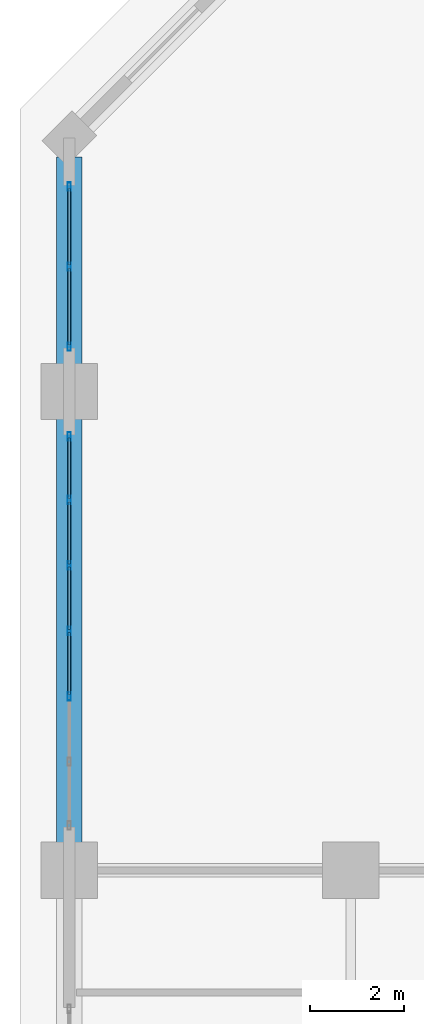
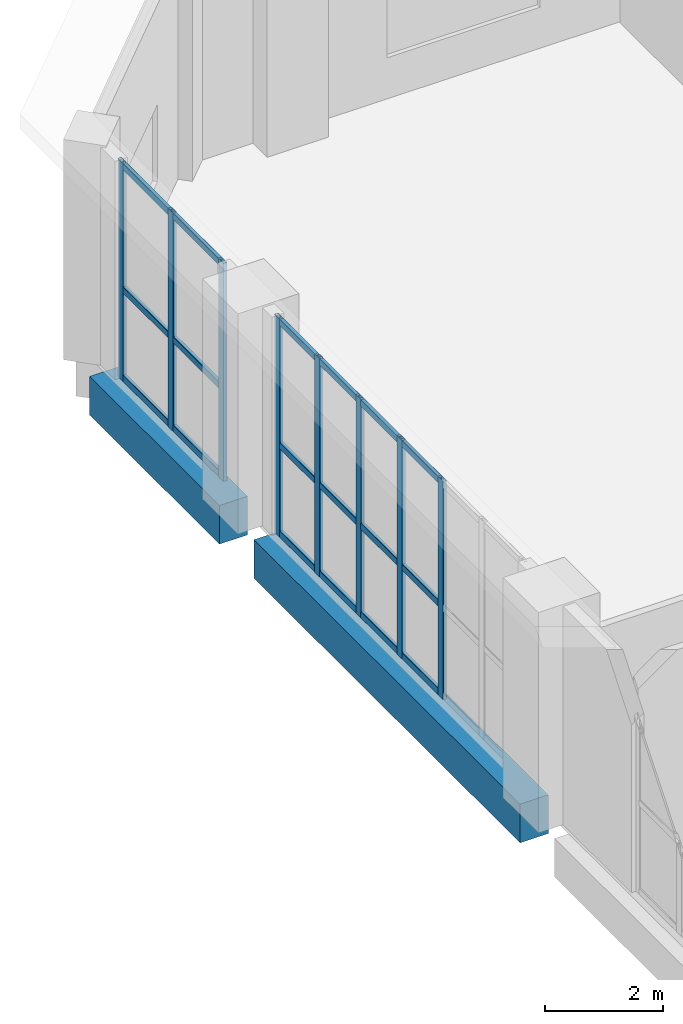
# One storey, part 16 of 37: 26 members, 2 beams, 2 elements without a shape of their own.
"""IFC4 building model written with IfcOpenShell, lengths in metres."""

import ifcopenshell
import ifcopenshell.guid

model = None  # the IFC model being written
_history = None  # IfcOwnerHistory: only IFC2X3 demands one
_inside = {}  # id of a spatial element -> (the spatial element, [elements in it])
_under = {}  # id of a project, library or spatial element -> (it, [spatial elements below it])
_declared = {}  # id of a project -> (the project, [libraries it declares])
_typed = {}  # id of a type object -> (the type object, [elements of that type])
_made_of = {}  # id of a material, layer set ... -> (it, [elements and type objects made of it])


def new_model(schema):
    """Start an empty IFC model of exactly this schema.

    Asked for "IFC4X3", IfcOpenShell would pick the latest addendum, in which some entities
    have other attributes; the version numbers below select the first issue.
    IFC2X3 requires an IfcOwnerHistory on every rooted entity: one is made here for all.
    """
    global model, _history
    if schema == "IFC4X3":
        model = ifcopenshell.file(schema_version=(4, 3, 0, 0))
    else:
        model = ifcopenshell.file(schema=schema)
    _inside.clear()
    _under.clear()
    _declared.clear()
    _typed.clear()
    _made_of.clear()
    _history = None
    if model.schema == "IFC2X3":
        org = make("IfcOrganization", Name="unknown")
        user = make(
            "IfcPersonAndOrganization",
            ThePerson=make("IfcPerson", FamilyName="unknown"),
            TheOrganization=org,
        )
        app = make(
            "IfcApplication",
            ApplicationDeveloper=org,
            Version="unknown",
            ApplicationFullName="unknown",
            ApplicationIdentifier="unknown",
        )
        _history = make(
            "IfcOwnerHistory",
            OwningUser=user,
            OwningApplication=app,
            ChangeAction="ADDED",
            CreationDate=0,
        )
    return model


def make(cls, **values):
    """One entity of the class cls with the attributes given. An attribute that is None is left unset."""
    return model.create_entity(
        cls, **{name: value for name, value in values.items() if value is not None}
    )


def rooted(cls, **values):
    """An entity with a GlobalId (a new one), such as an element, a storey or a relation."""
    return make(cls, GlobalId=ifcopenshell.guid.new(), OwnerHistory=_history, **values)


def si_unit(unit_type, name, prefix=None):
    """IfcSIUnit, for example si_unit("LENGTHUNIT", "METRE", prefix="MILLI")."""
    return make("IfcSIUnit", UnitType=unit_type, Prefix=prefix, Name=name)


def assignment(units):
    """IfcUnitAssignment: the units of a project."""
    return None if units is None else make("IfcUnitAssignment", Units=units)


def point(xyz):
    """IfcCartesianPoint."""
    return None if xyz is None else make("IfcCartesianPoint", Coordinates=xyz)


def direction(xyz):
    """IfcDirection."""
    return None if xyz is None else make("IfcDirection", DirectionRatios=xyz)


def frame(location, z_axis=None, x_axis=None):
    """IfcAxis2Placement3D, a coordinate frame: its origin and axes. An axis left out is left unset."""
    return make(
        "IfcAxis2Placement3D",
        Location=point(location),
        Axis=direction(z_axis),
        RefDirection=direction(x_axis),
    )


def frame_2d(location, x_axis=None):
    """IfcAxis2Placement2D, a coordinate frame in the plane: its origin and x axis."""
    return make(
        "IfcAxis2Placement2D", Location=point(location), RefDirection=direction(x_axis)
    )


def origin():
    """The frame at (0, 0, 0) with its axes left unset."""
    return frame((0.0, 0.0, 0.0))


def origin_2d():
    """The frame at (0, 0) in the plane with its x axis left unset."""
    return frame_2d((0.0, 0.0))


def place(relative_to, where):
    """IfcLocalPlacement: puts the frame where relative to a parent placement (None: the world)."""
    return make(
        "IfcLocalPlacement", PlacementRelTo=relative_to, RelativePlacement=where
    )


def context(
    kind, dimensions, precision=None, world=None, true_north=None, identifier=None
):
    """IfcGeometricRepresentationContext, for example the 3D "Model" context."""
    return make(
        "IfcGeometricRepresentationContext",
        ContextIdentifier=identifier,
        ContextType=kind,
        CoordinateSpaceDimension=dimensions,
        Precision=precision,
        WorldCoordinateSystem=world,
        TrueNorth=true_north,
    )


def subcontext(parent, identifier, kind, view, scale=None):
    """IfcGeometricRepresentationSubContext, for example "Body" below "Model"."""
    return make(
        "IfcGeometricRepresentationSubContext",
        ContextIdentifier=identifier,
        ContextType=kind,
        ParentContext=parent,
        TargetScale=scale,
        TargetView=view,
    )


def project(units=None, contexts=None):
    """IfcProject with its units and contexts."""
    return rooted(
        "IfcProject",
        Name="project",
        RepresentationContexts=contexts,
        UnitsInContext=assignment(units),
    )


def spatial(cls, under=None, at=None, **own):
    """A site, building, storey or space (cls), placed at a placement, below another one or the project."""
    s = rooted(cls, ObjectPlacement=at, **own)
    if under is not None:
        _under.setdefault(under.id(), (under, []))[1].append(s)
    return s


def profile(cls, at=None, kind="AREA", **sizes):
    """A parametric profile (cls). Its sizes go by their IFC names, for example OverallWidth=200.0."""
    return make(cls, ProfileType=kind, Position=at, **sizes)


def rectangle(**sizes):
    """IfcRectangleProfileDef."""
    return profile("IfcRectangleProfileDef", **sizes)


def hollow_rectangle(**sizes):
    """IfcRectangleHollowProfileDef."""
    return profile("IfcRectangleHollowProfileDef", **sizes)


def extrude(swept, where, along, depth):
    """IfcExtrudedAreaSolid: the profile swept, set in the frame where, extruded along a direction by depth."""
    return make(
        "IfcExtrudedAreaSolid",
        SweptArea=swept,
        Position=where,
        ExtrudedDirection=direction(along),
        Depth=depth,
    )


def shape(context_of_items, identifier, shape_type, items):
    """IfcShapeRepresentation: the items that make up one representation, for example the "Body"."""
    return make(
        "IfcShapeRepresentation",
        ContextOfItems=context_of_items,
        RepresentationIdentifier=identifier,
        RepresentationType=shape_type,
        Items=items,
    )


def material(Name=None, Category=None):
    """IfcMaterial."""
    return make("IfcMaterial", Name=Name, Category=Category)


def layer(
    of_material, thickness, ventilated=None, Name=None, Category=None, Priority=None
):
    """IfcMaterialLayer: one layer of a wall or slab, of a material (None: an air gap)."""
    return make(
        "IfcMaterialLayer",
        Material=of_material,
        LayerThickness=thickness,
        IsVentilated=ventilated,
        Name=Name,
        Category=Category,
        Priority=Priority,
    )


def layer_set(layers, Name=None):
    """IfcMaterialLayerSet."""
    return make("IfcMaterialLayerSet", MaterialLayers=layers, LayerSetName=Name)


def material_profile(
    of_material, cross_section, Name=None, Category=None, Priority=None
):
    """IfcMaterialProfile: a cross section and its material."""
    return make(
        "IfcMaterialProfile",
        Name=Name,
        Material=of_material,
        Profile=cross_section,
        Priority=Priority,
        Category=Category,
    )


def profile_set(profiles, Name=None, composite=None):
    """IfcMaterialProfileSet."""
    return make(
        "IfcMaterialProfileSet",
        Name=Name,
        MaterialProfiles=profiles,
        CompositeProfile=composite,
    )


def made_of(thing, what):
    """Note that an element or type object is made of a material, layer set ...; save() writes the relation."""
    if what is not None:
        _made_of.setdefault(what.id(), (what, []))[1].append(thing)
    return thing


def type_object(cls, material=None, **own):
    """A type object (cls), such as IfcWallType, which elements share."""
    return made_of(rooted(cls, **own), material)


def element(
    cls,
    number,
    at=None,
    inside=None,
    cuts=None,
    type_object=None,
    material=None,
    context=None,
    identifier="Body",
    shape_type=None,
    held_by="IfcProductDefinitionShape",
    body=None,
    shapes=None,
    **own,
):
    """One element of the class cls, such as IfcWall. Its Tag is "e" and its number.

    at: its placement. inside: the storey or other place that contains it. cuts: it is an
    opening in that element (IfcRelVoidsElement). A single representation is given by context,
    identifier, shape_type and body (its items); several are given by shapes. held_by: the class
    of the entity that holds the representations. save() writes the other relations.
    """
    e = rooted(cls, Tag="e%d" % number, ObjectPlacement=at, **own)
    if body is not None:
        shapes = [shape(context, identifier, shape_type, body)]
    if shapes is not None:
        e.Representation = make(held_by, Representations=shapes)
    if inside is not None:
        _inside.setdefault(inside.id(), (inside, []))[1].append(e)
    if cuts is not None:
        rooted(
            "IfcRelVoidsElement", RelatingBuildingElement=cuts, RelatedOpeningElement=e
        )
    if type_object is not None:
        _typed.setdefault(type_object.id(), (type_object, []))[1].append(e)
    return made_of(e, material)


def aggregate(whole, parts):
    """IfcRelAggregates: a whole, such as a stair, and the parts it consists of."""
    return rooted("IfcRelAggregates", RelatingObject=whole, RelatedObjects=parts)


def save(model, path):
    """Write the relations noted so far, then the file.

    IfcRelAggregates (storeys below a building ...), IfcRelContainedInSpatialStructure (elements
    in a storey), IfcRelDefinesByType, IfcRelAssociatesMaterial and IfcRelDeclares: one each for
    every whole, place, type object, material and project.
    """
    for whole, parts in _under.values():
        aggregate(whole, parts)
    for where, things in _inside.values():
        rooted(
            "IfcRelContainedInSpatialStructure",
            RelatedElements=things,
            RelatingStructure=where,
        )
    for kind, things in _typed.values():
        rooted("IfcRelDefinesByType", RelatedObjects=things, RelatingType=kind)
    for what, things in _made_of.values():
        rooted("IfcRelAssociatesMaterial", RelatedObjects=things, RelatingMaterial=what)
    for by, libraries in _declared.values():
        rooted("IfcRelDeclares", RelatingContext=by, RelatedDefinitions=libraries)
    model.write(path)


model = new_model("IFC4")

# Units and contexts
model_context = context("Model", 3, precision=1e-05, world=origin(), true_north=direction((0.0, 1.0)))
body_context = subcontext(model_context, "Body", "Model", "MODEL_VIEW")
ifc_project = project(units=[si_unit("LENGTHUNIT", "METRE"), si_unit("AREAUNIT", "SQUARE_METRE"), si_unit("VOLUMEUNIT", "CUBIC_METRE"), si_unit("PLANEANGLEUNIT", "RADIAN"), si_unit("MASSUNIT", "GRAM", prefix="KILO")], contexts=[model_context])

# Site, building, storey
site_placement = place(None, origin())
site = spatial("IfcSite", under=ifc_project, at=site_placement, CompositionType="ELEMENT")
building_placement = place(site_placement, origin())
building = spatial("IfcBuilding", under=site, at=building_placement, Name="Kaelvorn Grand Hotel", CompositionType="ELEMENT")
storey_placement = place(building_placement, frame((0.0, 0.0, 224.35009765625)))
storey = spatial("IfcBuildingStorey", under=building, at=storey_placement, Name="L55", CompositionType="ELEMENT", Elevation=224.35009765625)

# Beams
ifc_material_1 = material(Name="Concrete C50/60", Category="concrete")
ifc_material_profile_1 = material_profile(ifc_material_1, rectangle(XDim=0.550048828125, YDim=0.800048828125, at=origin_2d()), Name="RC SPANDREL 550x800")
ifc_profile_set_1 = profile_set([ifc_material_profile_1], Name="Concrete C50/60")
beam_type = type_object("IfcBeamType", Name="BM-SP-550x800-C50", PredefinedType="SPANDREL", material=ifc_profile_set_1)
beam_1_placement = place(storey_placement, frame((3.0, 29.985107421875, -0.64013671875), z_axis=(0.0, 1.0, 0.0), x_axis=(-1.0, 0.0, 0.0)))
element("IfcBeam", 1, at=beam_1_placement, inside=storey, type_object=beam_type, Name="L55 West Perimeter Spandrel 03", PredefinedType="SPANDREL", context=body_context, shape_type="SweptSolid", body=[
    extrude(rectangle(XDim=0.550048828125, YDim=0.800048828125, at=origin_2d()), origin(), (0.0, 0.0, 1.0), 9.02978515625),
])
beam_2_placement = place(storey_placement, frame((3.0, 40.18505859375, -0.64013671875), z_axis=(0.0, 1.0, 0.0), x_axis=(-1.0, 0.0, 0.0)))
element("IfcBeam", 2, at=beam_2_placement, inside=storey, type_object=beam_type, Name="L55 West Perimeter Spandrel 04", PredefinedType="SPANDREL", context=body_context, shape_type="SweptSolid", body=[
    extrude(rectangle(XDim=0.550048828125, YDim=0.800048828125, at=origin_2d()), origin(), (0.0, 0.0, 1.0), 4.409912109375),
])

# Curtain wall, members
ifc_material_2 = material(Name="Anodised Aluminium", Category="aluminium")
ifc_layer = layer(ifc_material_2, 0.179931640625)
ifc_layer_set = layer_set([ifc_layer], Name="Anodised Aluminium")
curtain_wall_type = type_object("IfcCurtainWallType", Name="CW-SYS4", PredefinedType="NOTDEFINED", material=ifc_layer_set)
curtain_wall_1_placement = place(storey_placement, origin())
curtain_wall_1 = element("IfcCurtainWall", 3, at=curtain_wall_1_placement, inside=storey, type_object=curtain_wall_type, Name="L55 Unitised Curtain Wall CW4 (CW-L55-W-05)", PredefinedType="NOTDEFINED")
ifc_material_profile_2 = material_profile(ifc_material_2, hollow_rectangle(XDim=0.070068359375, YDim=0.179931640625, WallThickness=0.00390625, InnerFilletRadius=0.00390625, OuterFilletRadius=0.008056640625, at=origin_2d()), Name="ALU MULL 70x180")
ifc_profile_set_2 = profile_set([ifc_material_profile_2], Name="Anodised Aluminium")
member_type_1 = type_object("IfcMemberType", Name="CW-SYS4-MULL", PredefinedType="MULLION", material=ifc_profile_set_2)
member_1_placement = place(storey_placement, frame((3.0, 43.965087890625, 0.0), z_axis=(0.0, 0.0, 1.0), x_axis=(1.0, 0.0, 0.0)))
member_1 = element("IfcMember", 4, at=member_1_placement, type_object=member_type_1, Name="CW4 mullion 1", PredefinedType="MULLION", context=body_context, shape_type="SweptSolid", body=[
    extrude(hollow_rectangle(XDim=0.070068359375, YDim=0.179931640625, WallThickness=0.00390625, InnerFilletRadius=0.00390625, OuterFilletRadius=0.008056640625, at=origin_2d()), origin(), (0.0, 0.0, 1.0), 4.52001953125),
])
member_2_placement = place(storey_placement, frame((3.0, 42.260009765625, 0.0), z_axis=(0.0, 0.0, 1.0), x_axis=(1.0, 0.0, 0.0)))
member_2 = element("IfcMember", 5, at=member_2_placement, type_object=member_type_1, Name="CW4 mullion 2", PredefinedType="MULLION", context=body_context, shape_type="SweptSolid", body=[
    extrude(hollow_rectangle(XDim=0.070068359375, YDim=0.179931640625, WallThickness=0.00390625, InnerFilletRadius=0.00390625, OuterFilletRadius=0.008056640625, at=origin_2d()), origin(), (0.0, 0.0, 1.0), 4.52001953125),
])
member_3_placement = place(storey_placement, frame((3.0, 40.554931640625, 0.0), z_axis=(0.0, 0.0, 1.0), x_axis=(1.0, 0.0, 0.0)))
member_3 = element("IfcMember", 6, at=member_3_placement, type_object=member_type_1, Name="CW4 mullion 3", PredefinedType="MULLION", context=body_context, shape_type="SweptSolid", body=[
    extrude(hollow_rectangle(XDim=0.070068359375, YDim=0.179931640625, WallThickness=0.00390625, InnerFilletRadius=0.00390625, OuterFilletRadius=0.008056640625, at=origin_2d()), origin(), (0.0, 0.0, 1.0), 4.52001953125),
])

curtain_wall_2_placement = place(storey_placement, origin())
curtain_wall_2 = element("IfcCurtainWall", 7, at=curtain_wall_2_placement, inside=storey, type_object=curtain_wall_type, Name="L55 Unitised Curtain Wall CW4 (CW-L55-W-04)", PredefinedType="NOTDEFINED")
member_4_placement = place(storey_placement, frame((3.0, 38.64501953125, 0.0), z_axis=(0.0, 0.0, 1.0), x_axis=(1.0, 0.0, 0.0)))
member_4 = element("IfcMember", 8, at=member_4_placement, type_object=member_type_1, Name="CW4 mullion 1", PredefinedType="MULLION", context=body_context, shape_type="SweptSolid", body=[
    extrude(hollow_rectangle(XDim=0.070068359375, YDim=0.179931640625, WallThickness=0.00390625, InnerFilletRadius=0.00390625, OuterFilletRadius=0.008056640625, at=origin_2d()), origin(), (0.0, 0.0, 1.0), 4.52001953125),
])
member_5_placement = place(storey_placement, frame((3.0, 37.28662109375, 0.0), z_axis=(0.0, 0.0, 1.0), x_axis=(1.0, 0.0, 0.0)))
member_5 = element("IfcMember", 9, at=member_5_placement, type_object=member_type_1, Name="CW4 mullion 2", PredefinedType="MULLION", context=body_context, shape_type="SweptSolid", body=[
    extrude(hollow_rectangle(XDim=0.070068359375, YDim=0.179931640625, WallThickness=0.00390625, InnerFilletRadius=0.00390625, OuterFilletRadius=0.008056640625, at=origin_2d()), origin(), (0.0, 0.0, 1.0), 4.52001953125),
])
member_6_placement = place(storey_placement, frame((3.0, 35.893310546875, 0.0), z_axis=(0.0, 0.0, 1.0), x_axis=(1.0, 0.0, 0.0)))
member_6 = element("IfcMember", 10, at=member_6_placement, type_object=member_type_1, Name="CW4 mullion 3", PredefinedType="MULLION", context=body_context, shape_type="SweptSolid", body=[
    extrude(hollow_rectangle(XDim=0.070068359375, YDim=0.179931640625, WallThickness=0.00390625, InnerFilletRadius=0.00390625, OuterFilletRadius=0.008056640625, at=origin_2d()), origin(), (0.0, 0.0, 1.0), 4.52001953125),
])
member_7_placement = place(storey_placement, frame((3.0, 34.5, 0.0), z_axis=(0.0, 0.0, 1.0), x_axis=(1.0, 0.0, 0.0)))
member_7 = element("IfcMember", 11, at=member_7_placement, type_object=member_type_1, Name="CW4 mullion 4", PredefinedType="MULLION", context=body_context, shape_type="SweptSolid", body=[
    extrude(hollow_rectangle(XDim=0.070068359375, YDim=0.179931640625, WallThickness=0.00390625, InnerFilletRadius=0.00390625, OuterFilletRadius=0.008056640625, at=origin_2d()), origin(), (0.0, 0.0, 1.0), 4.52001953125),
])
member_8_placement = place(storey_placement, frame((3.0, 33.106689453125, 0.0), z_axis=(0.0, 0.0, 1.0), x_axis=(1.0, 0.0, 0.0)))
member_8 = element("IfcMember", 12, at=member_8_placement, type_object=member_type_1, Name="CW4 mullion 5", PredefinedType="MULLION", context=body_context, shape_type="SweptSolid", body=[
    extrude(hollow_rectangle(XDim=0.070068359375, YDim=0.179931640625, WallThickness=0.00390625, InnerFilletRadius=0.00390625, OuterFilletRadius=0.008056640625, at=origin_2d()), origin(), (0.0, 0.0, 1.0), 4.52001953125),
])

# Member
ifc_material_profile_3 = material_profile(ifc_material_2, hollow_rectangle(XDim=0.070068359375, YDim=0.135009765625, WallThickness=0.00341796875, InnerFilletRadius=0.00341796875, OuterFilletRadius=0.007080078125, at=origin_2d()), Name="ALU TRAN 70x135")
ifc_profile_set_3 = profile_set([ifc_material_profile_3], Name="Anodised Aluminium")
member_type_2 = type_object("IfcMemberType", Name="CW-SYS4-TRAN", PredefinedType="NOTDEFINED", material=ifc_profile_set_3)
member_9_placement = place(storey_placement, frame((3.0, 43.929931640625, 0.0673828125), z_axis=(0.0, -1.0, 0.0), x_axis=(1.0, 0.0, 0.0)))
member_9 = element("IfcMember", 13, at=member_9_placement, type_object=member_type_2, Name="CW4 transom 1.1", ObjectType="TRANSOM", PredefinedType="USERDEFINED", context=body_context, shape_type="SweptSolid", body=[
    extrude(hollow_rectangle(XDim=0.070068359375, YDim=0.135009765625, WallThickness=0.00341796875, InnerFilletRadius=0.00341796875, OuterFilletRadius=0.007080078125, at=origin_2d()), origin(), (0.0, 0.0, 1.0), 1.635009765625),
])

member_10_placement = place(storey_placement, frame((3.0, 43.929931640625, 1.898193359375), z_axis=(0.0, -1.0, 0.0), x_axis=(1.0, 0.0, 0.0)))
member_10 = element("IfcMember", 14, at=member_10_placement, type_object=member_type_2, Name="CW4 transom 1.2", ObjectType="TRANSOM", PredefinedType="USERDEFINED", context=body_context, shape_type="SweptSolid", body=[
    extrude(hollow_rectangle(XDim=0.070068359375, YDim=0.135009765625, WallThickness=0.00341796875, InnerFilletRadius=0.00341796875, OuterFilletRadius=0.007080078125, at=origin_2d()), origin(), (0.0, 0.0, 1.0), 1.635009765625),
])

member_11_placement = place(storey_placement, frame((3.0, 43.929931640625, 4.452392578125), z_axis=(0.0, -1.0, 0.0), x_axis=(1.0, 0.0, 0.0)))
member_11 = element("IfcMember", 15, at=member_11_placement, type_object=member_type_2, Name="CW4 transom 1.3", ObjectType="TRANSOM", PredefinedType="USERDEFINED", context=body_context, shape_type="SweptSolid", body=[
    extrude(hollow_rectangle(XDim=0.070068359375, YDim=0.135009765625, WallThickness=0.00341796875, InnerFilletRadius=0.00341796875, OuterFilletRadius=0.007080078125, at=origin_2d()), origin(), (0.0, 0.0, 1.0), 1.635009765625),
])

member_12_placement = place(storey_placement, frame((3.0, 42.22509765625, 0.0673828125), z_axis=(0.0, -1.0, 0.0), x_axis=(1.0, 0.0, 0.0)))
member_12 = element("IfcMember", 16, at=member_12_placement, type_object=member_type_2, Name="CW4 transom 2.1", ObjectType="TRANSOM", PredefinedType="USERDEFINED", context=body_context, shape_type="SweptSolid", body=[
    extrude(hollow_rectangle(XDim=0.070068359375, YDim=0.135009765625, WallThickness=0.00341796875, InnerFilletRadius=0.00341796875, OuterFilletRadius=0.007080078125, at=origin_2d()), origin(), (0.0, 0.0, 1.0), 1.635009765625),
])

member_13_placement = place(storey_placement, frame((3.0, 42.22509765625, 1.898193359375), z_axis=(0.0, -1.0, 0.0), x_axis=(1.0, 0.0, 0.0)))
member_13 = element("IfcMember", 17, at=member_13_placement, type_object=member_type_2, Name="CW4 transom 2.2", ObjectType="TRANSOM", PredefinedType="USERDEFINED", context=body_context, shape_type="SweptSolid", body=[
    extrude(hollow_rectangle(XDim=0.070068359375, YDim=0.135009765625, WallThickness=0.00341796875, InnerFilletRadius=0.00341796875, OuterFilletRadius=0.007080078125, at=origin_2d()), origin(), (0.0, 0.0, 1.0), 1.635009765625),
])

member_14_placement = place(storey_placement, frame((3.0, 42.22509765625, 4.452392578125), z_axis=(0.0, -1.0, 0.0), x_axis=(1.0, 0.0, 0.0)))
member_14 = element("IfcMember", 18, at=member_14_placement, type_object=member_type_2, Name="CW4 transom 2.3", ObjectType="TRANSOM", PredefinedType="USERDEFINED", context=body_context, shape_type="SweptSolid", body=[
    extrude(hollow_rectangle(XDim=0.070068359375, YDim=0.135009765625, WallThickness=0.00341796875, InnerFilletRadius=0.00341796875, OuterFilletRadius=0.007080078125, at=origin_2d()), origin(), (0.0, 0.0, 1.0), 1.635009765625),
])

aggregate(curtain_wall_1, [member_1, member_2, member_3, member_9, member_10, member_11, member_12, member_13, member_14])

member_15_placement = place(storey_placement, frame((3.0, 38.610107421875, 0.0673828125), z_axis=(0.0, -1.0, 0.0), x_axis=(1.0, 0.0, 0.0)))
member_15 = element("IfcMember", 19, at=member_15_placement, type_object=member_type_2, Name="CW4 transom 1.1", ObjectType="TRANSOM", PredefinedType="USERDEFINED", context=body_context, shape_type="SweptSolid", body=[
    extrude(hollow_rectangle(XDim=0.070068359375, YDim=0.135009765625, WallThickness=0.00341796875, InnerFilletRadius=0.00341796875, OuterFilletRadius=0.007080078125, at=origin_2d()), origin(), (0.0, 0.0, 1.0), 1.288330078125),
])

member_16_placement = place(storey_placement, frame((3.0, 38.610107421875, 1.898193359375), z_axis=(0.0, -1.0, 0.0), x_axis=(1.0, 0.0, 0.0)))
member_16 = element("IfcMember", 20, at=member_16_placement, type_object=member_type_2, Name="CW4 transom 1.2", ObjectType="TRANSOM", PredefinedType="USERDEFINED", context=body_context, shape_type="SweptSolid", body=[
    extrude(hollow_rectangle(XDim=0.070068359375, YDim=0.135009765625, WallThickness=0.00341796875, InnerFilletRadius=0.00341796875, OuterFilletRadius=0.007080078125, at=origin_2d()), origin(), (0.0, 0.0, 1.0), 1.288330078125),
])

member_17_placement = place(storey_placement, frame((3.0, 38.610107421875, 4.452392578125), z_axis=(0.0, -1.0, 0.0), x_axis=(1.0, 0.0, 0.0)))
member_17 = element("IfcMember", 21, at=member_17_placement, type_object=member_type_2, Name="CW4 transom 1.3", ObjectType="TRANSOM", PredefinedType="USERDEFINED", context=body_context, shape_type="SweptSolid", body=[
    extrude(hollow_rectangle(XDim=0.070068359375, YDim=0.135009765625, WallThickness=0.00341796875, InnerFilletRadius=0.00341796875, OuterFilletRadius=0.007080078125, at=origin_2d()), origin(), (0.0, 0.0, 1.0), 1.288330078125),
])

member_18_placement = place(storey_placement, frame((3.0, 37.251708984375, 0.0673828125), z_axis=(0.0, -1.0, 0.0), x_axis=(1.0, 0.0, 0.0)))
member_18 = element("IfcMember", 22, at=member_18_placement, type_object=member_type_2, Name="CW4 transom 2.1", ObjectType="TRANSOM", PredefinedType="USERDEFINED", context=body_context, shape_type="SweptSolid", body=[
    extrude(hollow_rectangle(XDim=0.070068359375, YDim=0.135009765625, WallThickness=0.00341796875, InnerFilletRadius=0.00341796875, OuterFilletRadius=0.007080078125, at=origin_2d()), origin(), (0.0, 0.0, 1.0), 1.323486328125),
])

member_19_placement = place(storey_placement, frame((3.0, 37.251708984375, 1.898193359375), z_axis=(0.0, -1.0, 0.0), x_axis=(1.0, 0.0, 0.0)))
member_19 = element("IfcMember", 23, at=member_19_placement, type_object=member_type_2, Name="CW4 transom 2.2", ObjectType="TRANSOM", PredefinedType="USERDEFINED", context=body_context, shape_type="SweptSolid", body=[
    extrude(hollow_rectangle(XDim=0.070068359375, YDim=0.135009765625, WallThickness=0.00341796875, InnerFilletRadius=0.00341796875, OuterFilletRadius=0.007080078125, at=origin_2d()), origin(), (0.0, 0.0, 1.0), 1.323486328125),
])

member_20_placement = place(storey_placement, frame((3.0, 37.251708984375, 4.452392578125), z_axis=(0.0, -1.0, 0.0), x_axis=(1.0, 0.0, 0.0)))
member_20 = element("IfcMember", 24, at=member_20_placement, type_object=member_type_2, Name="CW4 transom 2.3", ObjectType="TRANSOM", PredefinedType="USERDEFINED", context=body_context, shape_type="SweptSolid", body=[
    extrude(hollow_rectangle(XDim=0.070068359375, YDim=0.135009765625, WallThickness=0.00341796875, InnerFilletRadius=0.00341796875, OuterFilletRadius=0.007080078125, at=origin_2d()), origin(), (0.0, 0.0, 1.0), 1.323486328125),
])

member_21_placement = place(storey_placement, frame((3.0, 35.8583984375, 0.0673828125), z_axis=(0.0, -1.0, 0.0), x_axis=(1.0, 0.0, 0.0)))
member_21 = element("IfcMember", 25, at=member_21_placement, type_object=member_type_2, Name="CW4 transom 3.1", ObjectType="TRANSOM", PredefinedType="USERDEFINED", context=body_context, shape_type="SweptSolid", body=[
    extrude(hollow_rectangle(XDim=0.070068359375, YDim=0.135009765625, WallThickness=0.00341796875, InnerFilletRadius=0.00341796875, OuterFilletRadius=0.007080078125, at=origin_2d()), origin(), (0.0, 0.0, 1.0), 1.323486328125),
])

member_22_placement = place(storey_placement, frame((3.0, 35.8583984375, 1.898193359375), z_axis=(0.0, -1.0, 0.0), x_axis=(1.0, 0.0, 0.0)))
member_22 = element("IfcMember", 26, at=member_22_placement, type_object=member_type_2, Name="CW4 transom 3.2", ObjectType="TRANSOM", PredefinedType="USERDEFINED", context=body_context, shape_type="SweptSolid", body=[
    extrude(hollow_rectangle(XDim=0.070068359375, YDim=0.135009765625, WallThickness=0.00341796875, InnerFilletRadius=0.00341796875, OuterFilletRadius=0.007080078125, at=origin_2d()), origin(), (0.0, 0.0, 1.0), 1.323486328125),
])

member_23_placement = place(storey_placement, frame((3.0, 35.8583984375, 4.452392578125), z_axis=(0.0, -1.0, 0.0), x_axis=(1.0, 0.0, 0.0)))
member_23 = element("IfcMember", 27, at=member_23_placement, type_object=member_type_2, Name="CW4 transom 3.3", ObjectType="TRANSOM", PredefinedType="USERDEFINED", context=body_context, shape_type="SweptSolid", body=[
    extrude(hollow_rectangle(XDim=0.070068359375, YDim=0.135009765625, WallThickness=0.00341796875, InnerFilletRadius=0.00341796875, OuterFilletRadius=0.007080078125, at=origin_2d()), origin(), (0.0, 0.0, 1.0), 1.323486328125),
])

member_24_placement = place(storey_placement, frame((3.0, 34.465087890625, 0.0673828125), z_axis=(0.0, -1.0, 0.0), x_axis=(1.0, 0.0, 0.0)))
member_24 = element("IfcMember", 28, at=member_24_placement, type_object=member_type_2, Name="CW4 transom 4.1", ObjectType="TRANSOM", PredefinedType="USERDEFINED", context=body_context, shape_type="SweptSolid", body=[
    extrude(hollow_rectangle(XDim=0.070068359375, YDim=0.135009765625, WallThickness=0.00341796875, InnerFilletRadius=0.00341796875, OuterFilletRadius=0.007080078125, at=origin_2d()), origin(), (0.0, 0.0, 1.0), 1.323486328125),
])

member_25_placement = place(storey_placement, frame((3.0, 34.465087890625, 1.898193359375), z_axis=(0.0, -1.0, 0.0), x_axis=(1.0, 0.0, 0.0)))
member_25 = element("IfcMember", 29, at=member_25_placement, type_object=member_type_2, Name="CW4 transom 4.2", ObjectType="TRANSOM", PredefinedType="USERDEFINED", context=body_context, shape_type="SweptSolid", body=[
    extrude(hollow_rectangle(XDim=0.070068359375, YDim=0.135009765625, WallThickness=0.00341796875, InnerFilletRadius=0.00341796875, OuterFilletRadius=0.007080078125, at=origin_2d()), origin(), (0.0, 0.0, 1.0), 1.323486328125),
])

member_26_placement = place(storey_placement, frame((3.0, 34.465087890625, 4.452392578125), z_axis=(0.0, -1.0, 0.0), x_axis=(1.0, 0.0, 0.0)))
member_26 = element("IfcMember", 30, at=member_26_placement, type_object=member_type_2, Name="CW4 transom 4.3", ObjectType="TRANSOM", PredefinedType="USERDEFINED", context=body_context, shape_type="SweptSolid", body=[
    extrude(hollow_rectangle(XDim=0.070068359375, YDim=0.135009765625, WallThickness=0.00341796875, InnerFilletRadius=0.00341796875, OuterFilletRadius=0.007080078125, at=origin_2d()), origin(), (0.0, 0.0, 1.0), 1.323486328125),
])

aggregate(curtain_wall_2, [member_4, member_5, member_6, member_7, member_8, member_15, member_16, member_17, member_18, member_19, member_20, member_21, member_22, member_23, member_24, member_25, member_26])

save(model, "model.ifc")
